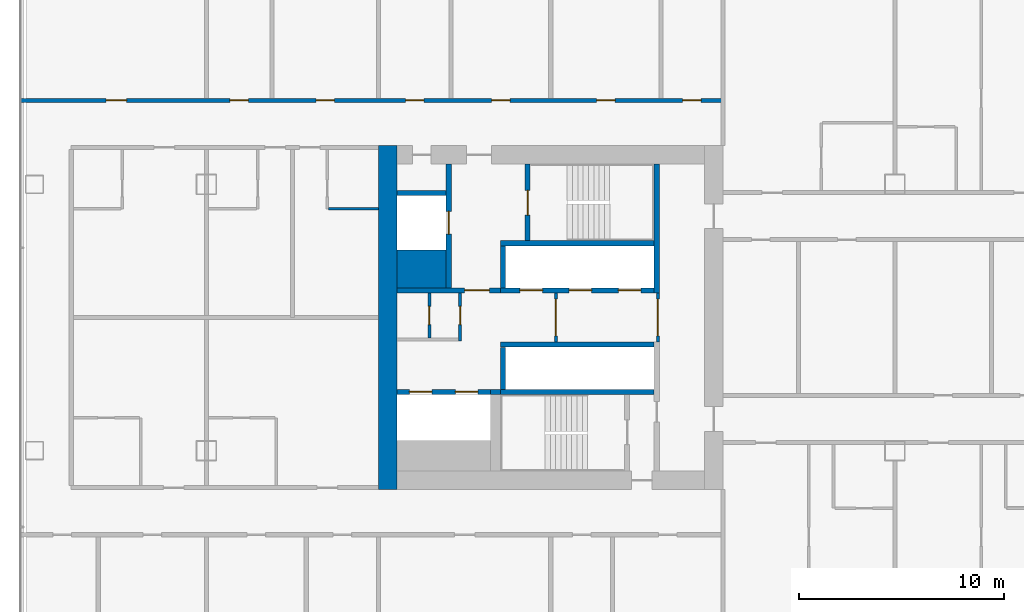
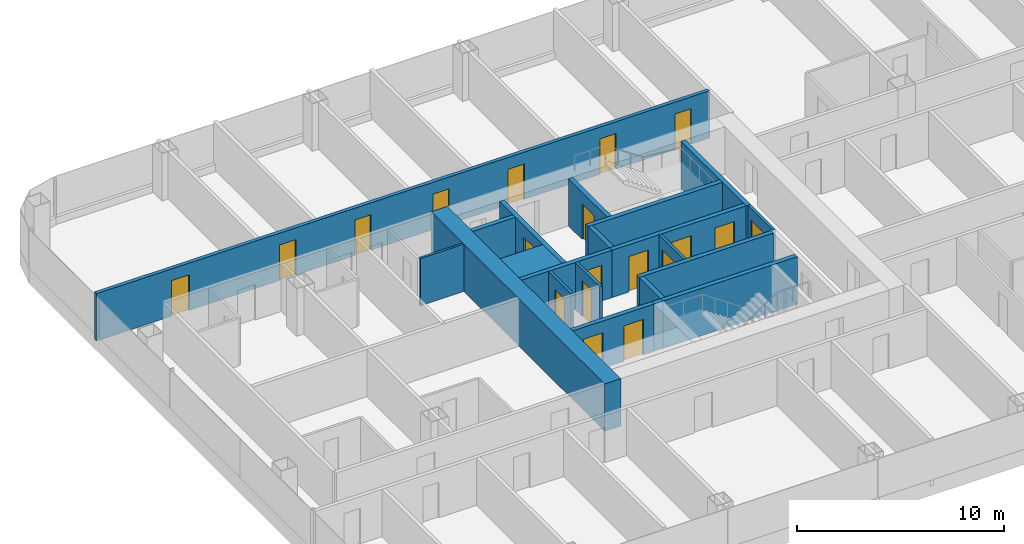
# One storey, part 14 of 28: 21 walls, 19 doors, 19 openings.
"""IFC4 building model written with IfcOpenShell, lengths in metres."""

from ifc_helpers import new_model, si_unit, direction, frame, frame_2d, origin, place, context, subcontext, project, spatial, rectangle, extrude, material, layer, layer_set, type_object, element, fill, save


model = new_model("IFC4")

# Units and contexts
model_context = context("Model", 3, precision=1e-05, world=origin(), true_north=direction((0.0, 1.0)))
body_context = subcontext(model_context, "Body", "Model", "MODEL_VIEW")
ifc_project = project(units=[si_unit("LENGTHUNIT", "METRE"), si_unit("AREAUNIT", "SQUARE_METRE"), si_unit("VOLUMEUNIT", "CUBIC_METRE"), si_unit("PLANEANGLEUNIT", "RADIAN"), si_unit("MASSUNIT", "GRAM", prefix="KILO")], contexts=[model_context])

# Site, building, storey
site_placement = place(None, origin())
site = spatial("IfcSite", under=ifc_project, at=site_placement, CompositionType="ELEMENT")
building_placement = place(site_placement, origin())
building = spatial("IfcBuilding", under=site, at=building_placement, Name="Hakoniwa Tower and Hamabe Station Hall", CompositionType="ELEMENT")
storey_placement = place(building_placement, frame((0.0, 0.0, 32.60009765625)))
storey = spatial("IfcBuildingStorey", under=building, at=storey_placement, Name="L08", CompositionType="ELEMENT", Elevation=32.60009765625)

# Wall
ifc_material_1 = material(Name="Gypsum board partition", Category="gypsum")
ifc_layer_1 = layer(ifc_material_1, 0.125)
ifc_layer_set_1 = layer_set([ifc_layer_1], Name="Bathroom Partition 125")
wall_type_1 = type_object("IfcWallType", Name="Bathroom Partition 125", PredefinedType="PARTITIONING", material=ifc_layer_set_1)
wall_1_placement = place(storey_placement, frame((-36.03759765625, 5.300048828125, 0.0), z_axis=(0.0, 0.0, 1.0), x_axis=(1.0, 0.0, 0.0)))
element("IfcWall", 1, at=wall_1_placement, inside=storey, type_object=wall_type_1, Name="GW-L08-021", PredefinedType="PARTITIONING", context=body_context, shape_type="SweptSolid", body=[
    extrude(rectangle(XDim=2.4375, YDim=0.125, at=frame_2d((1.21875, 0.0))), origin(), (0.0, 0.0, 1.0), 2.7998046875),
])

# Wall, opening, door
ifc_material_2 = material(Name="Gypsum board partition")
ifc_layer_2 = layer(ifc_material_2, 0.14990234375)
ifc_layer_set_2 = layer_set([ifc_layer_2], Name="CORE PARTITION 150 EI 60")
wall_type_2 = type_object("IfcWallType", Name="CORE PARTITION 150 EI 60", PredefinedType="PARTITIONING", material=ifc_layer_set_2)
wall_2_placement = place(storey_placement, frame((-19.97509765625, -1.199951171875, 0.0), z_axis=(0.0, 0.0, 1.0), x_axis=(0.0, 1.0, 0.0)))
wall_2 = element("IfcWall", 2, at=wall_2_placement, inside=storey, type_object=wall_type_2, Name="Core partition PL0 west", PredefinedType="PARTITIONING", context=body_context, shape_type="SweptSolid", body=[
    extrude(rectangle(XDim=2.39990234375, YDim=0.14990234375, at=frame_2d((1.199951171875, 0.0))), origin(), (0.0, 0.0, 1.0), 2.7998046875),
])
opening_1_placement = place(wall_2_placement, frame((0.300048828125, 0.0, 0.0)))
opening_1 = element("IfcOpeningElement", 3, at=opening_1_placement, cuts=wall_2, Name="Opening CD-W-LP0-18", PredefinedType="OPENING", context=body_context, shape_type="SweptSolid", body=[
    extrude(rectangle(XDim=1.800048828125, YDim=2.10009765625, at=frame_2d((0.89990234375, 1.050048828125))), frame((0.0, 0.0849609375, 0.0), z_axis=(0.0, -1.0, 0.0), x_axis=(1.0, 0.0, 0.0)), (0.0, 0.0, 1.0), 0.169921875),
])
ifc_material_3 = material(Name="Steel fire door", Category="steel")
door_type_1 = type_object("IfcDoorType", Name="CORE DOOR 1800 FD60", OperationType="DOUBLE_DOOR_SINGLE_SWING", PredefinedType="DOOR", material=ifc_material_3)
door_1_placement = place(opening_1_placement, origin())
door_1 = element("IfcDoor", 4, at=door_1_placement, inside=storey, type_object=door_type_1, Name="Lift lobby partition door", OperationType="DOUBLE_DOOR_SINGLE_SWING", OverallHeight=2.10009765625, OverallWidth=1.800048828125, PredefinedType="DOOR", context=body_context, shape_type="SweptSolid", body=[
    extrude(rectangle(XDim=1.800048828125, YDim=2.10009765625, at=frame_2d((0.89990234375, 1.050048828125))), frame((0.0, 0.02490234375, 0.0), z_axis=(0.0, -1.0, 0.0), x_axis=(1.0, 0.0, 0.0)), (0.0, 0.0, 1.0), 0.050048828125),
])
fill(opening_1, door_1)

wall_3_placement = place(storey_placement, frame((-24.949951171875, -1.199951171875, 0.0), z_axis=(0.0, 0.0, 1.0), x_axis=(0.0, 1.0, 0.0)))
wall_3 = element("IfcWall", 5, at=wall_3_placement, inside=storey, type_object=wall_type_2, Name="Core partition PL1 west", PredefinedType="PARTITIONING", context=body_context, shape_type="SweptSolid", body=[
    extrude(rectangle(XDim=2.39990234375, YDim=0.14990234375, at=frame_2d((1.199951171875, 0.0))), origin(), (0.0, 0.0, 1.0), 2.7998046875),
])
opening_2_placement = place(wall_3_placement, frame((0.300048828125, 0.0, 0.0)))
opening_2 = element("IfcOpeningElement", 6, at=opening_2_placement, cuts=wall_3, Name="Opening CD-W-LP1-18", PredefinedType="OPENING", context=body_context, shape_type="SweptSolid", body=[
    extrude(rectangle(XDim=1.800048828125, YDim=2.10009765625, at=frame_2d((0.89990234375, 1.050048828125))), frame((0.0, 0.0849609375, 0.0), z_axis=(0.0, -1.0, 0.0), x_axis=(1.0, 0.0, 0.0)), (0.0, 0.0, 1.0), 0.169921875),
])
door_2_placement = place(opening_2_placement, origin())
door_2 = element("IfcDoor", 7, at=door_2_placement, inside=storey, type_object=door_type_1, Name="Lift lobby partition door", OperationType="DOUBLE_DOOR_SINGLE_SWING", OverallHeight=2.10009765625, OverallWidth=1.800048828125, PredefinedType="DOOR", context=body_context, shape_type="SweptSolid", body=[
    extrude(rectangle(XDim=1.800048828125, YDim=2.10009765625, at=frame_2d((0.89990234375, 1.050048828125))), frame((0.0, 0.02490234375, 0.0), z_axis=(0.0, -1.0, 0.0), x_axis=(1.0, 0.0, 0.0)), (0.0, 0.0, 1.0), 0.050048828125),
])
fill(opening_2, door_2)

wall_4_placement = place(storey_placement, frame((-29.625, -1.14990234375, 0.0), z_axis=(0.0, 0.0, 1.0), x_axis=(0.0, 1.0, 0.0)))
wall_4 = element("IfcWall", 8, at=wall_4_placement, inside=storey, type_object=wall_type_2, Name="Core partition PW0 west", PredefinedType="PARTITIONING", context=body_context, shape_type="SweptSolid", body=[
    extrude(rectangle(XDim=2.349853515625, YDim=0.14990234375, at=frame_2d((1.1748046875, 0.0))), origin(), (0.0, 0.0, 1.0), 2.7998046875),
])
opening_3_placement = place(wall_4_placement, frame((0.800048828125, 0.0, 0.0)))
opening_3 = element("IfcOpeningElement", 9, at=opening_3_placement, cuts=wall_4, Name="Opening CD-W-RM1-9", PredefinedType="OPENING", context=body_context, shape_type="SweptSolid", body=[
    extrude(rectangle(XDim=0.89990234375, YDim=2.10009765625, at=frame_2d((0.449951171875, 1.050048828125))), frame((0.0, 0.0849609375, 0.0), z_axis=(0.0, -1.0, 0.0), x_axis=(1.0, 0.0, 0.0)), (0.0, 0.0, 1.0), 0.169921875),
])
ifc_material_4 = material(Name="Steel fire door", Category="steel")
door_type_2 = type_object("IfcDoorType", Name="CORE DOOR 900 FD30", OperationType="NOTDEFINED", PredefinedType="DOOR", material=ifc_material_4)
door_3_placement = place(opening_3_placement, origin())
door_3 = element("IfcDoor", 10, at=door_3_placement, inside=storey, type_object=door_type_2, Name="Store room door", OperationType="SINGLE_SWING_LEFT", OverallHeight=2.10009765625, OverallWidth=0.89990234375, PredefinedType="DOOR", context=body_context, shape_type="SweptSolid", body=[
    extrude(rectangle(XDim=0.89990234375, YDim=2.10009765625, at=frame_2d((0.449951171875, 1.050048828125))), frame((0.0, 0.02490234375, 0.0), z_axis=(0.0, -1.0, 0.0), x_axis=(1.0, 0.0, 0.0)), (0.0, 0.0, 1.0), 0.050048828125),
])
fill(opening_3, door_3)

wall_5_placement = place(storey_placement, frame((-31.125, -1.0, 0.0), z_axis=(0.0, 0.0, 1.0), x_axis=(0.0, 1.0, 0.0)))
wall_5 = element("IfcWall", 11, at=wall_5_placement, inside=storey, type_object=wall_type_2, Name="Core partition PW1 west", PredefinedType="PARTITIONING", context=body_context, shape_type="SweptSolid", body=[
    extrude(rectangle(XDim=2.199951171875, YDim=0.14990234375, at=frame_2d((1.10009765625, 0.0))), origin(), (0.0, 0.0, 1.0), 2.7998046875),
])
opening_4_placement = place(wall_5_placement, frame((0.64990234375, 0.0, 0.0)))
opening_4 = element("IfcOpeningElement", 12, at=opening_4_placement, cuts=wall_5, Name="Opening CD-W-RM2-9", PredefinedType="OPENING", context=body_context, shape_type="SweptSolid", body=[
    extrude(rectangle(XDim=0.89990234375, YDim=2.10009765625, at=frame_2d((0.449951171875, 1.050048828125))), frame((0.0, 0.0849609375, 0.0), z_axis=(0.0, -1.0, 0.0), x_axis=(1.0, 0.0, 0.0)), (0.0, 0.0, 1.0), 0.169921875),
])
door_4_placement = place(opening_4_placement, origin())
door_4 = element("IfcDoor", 13, at=door_4_placement, inside=storey, type_object=door_type_2, Name="Store room door", OperationType="SINGLE_SWING_LEFT", OverallHeight=2.10009765625, OverallWidth=0.89990234375, PredefinedType="DOOR", context=body_context, shape_type="SweptSolid", body=[
    extrude(rectangle(XDim=0.89990234375, YDim=2.10009765625, at=frame_2d((0.449951171875, 1.050048828125))), frame((0.0, 0.02490234375, 0.0), z_axis=(0.0, -1.0, 0.0), x_axis=(1.0, 0.0, 0.0)), (0.0, 0.0, 1.0), 0.050048828125),
])
fill(opening_4, door_4)

# Walls
ifc_material_5 = material(Name="Concrete C80", Category="concrete")
ifc_layer_3 = layer(ifc_material_5, 0.89990234375)
ifc_layer_set_3 = layer_set([ifc_layer_3], Name="CORE WALL 900 C80")
wall_type_3 = type_object("IfcWallType", Name="CORE WALL 900 C80", PredefinedType="SHEAR", material=ifc_layer_set_3)
wall_6_placement = place(storey_placement, frame((-33.14990234375, -8.39990234375, 0.0), z_axis=(0.0, 0.0, 1.0), x_axis=(0.0, 1.0, 0.0)))
element("IfcWall", 14, at=wall_6_placement, inside=storey, type_object=wall_type_3, Name="Core wall OUTER west", PredefinedType="SHEAR", context=body_context, shape_type="SweptSolid", body=[
    extrude(rectangle(XDim=16.7998046875, YDim=0.89990234375, at=frame_2d((8.39990234375, 0.0))), origin(), (0.0, 0.0, 1.0), 2.7998046875),
])
ifc_material_6 = material(Name="Concrete C80", Category="concrete")
ifc_layer_4 = layer(ifc_material_6, 1.85009765625)
ifc_layer_set_4 = layer_set([ifc_layer_4], Name="CORE WEB WALL 1850 C80")
wall_type_4 = type_object("IfcWallType", Name="CORE WEB WALL 1850 C80", PredefinedType="SHEAR", material=ifc_layer_set_4)
wall_7_placement = place(storey_placement, frame((-32.699951171875, 2.375, 0.0), z_axis=(0.0, 0.0, 1.0), x_axis=(1.0, 0.0, 0.0)))
element("IfcWall", 15, at=wall_7_placement, inside=storey, type_object=wall_type_4, Name="Core wall CA west", PredefinedType="SHEAR", context=body_context, shape_type="SweptSolid", body=[
    extrude(rectangle(XDim=2.39990234375, YDim=1.85009765625, at=frame_2d((1.199951171875, 0.0))), origin(), (0.0, 0.0, 1.0), 2.7998046875),
])
ifc_material_7 = material(Name="Concrete C80", Category="concrete")
ifc_layer_5 = layer(ifc_material_7, 0.25)
ifc_layer_set_5 = layer_set([ifc_layer_5], Name="CORE WEB WALL 250 C80")
wall_type_5 = type_object("IfcWallType", Name="CORE WEB WALL 250 C80", PredefinedType="SHEAR", material=ifc_layer_set_5)
wall_8_placement = place(storey_placement, frame((-20.02490234375, 1.199951171875, 0.0), z_axis=(0.0, 0.0, 1.0), x_axis=(0.0, 1.0, 0.0)))
element("IfcWall", 16, at=wall_8_placement, inside=storey, type_object=wall_type_5, Name="Core wall W1N west", PredefinedType="SHEAR", context=body_context, shape_type="SweptSolid", body=[
    extrude(rectangle(XDim=6.300048828125, YDim=0.25, at=frame_2d((3.14990234375, 0.0))), origin(), (0.0, 0.0, 1.0), 2.7998046875),
])

# Wall, openings, doors
wall_9_placement = place(storey_placement, frame((-27.64990234375, 1.324951171875, 0.0), z_axis=(0.0, 0.0, 1.0), x_axis=(1.0, 0.0, 0.0)))
wall_9 = element("IfcWall", 17, at=wall_9_placement, inside=storey, type_object=wall_type_5, Name="Core wall NF west", PredefinedType="SHEAR", context=body_context, shape_type="SweptSolid", body=[
    extrude(rectangle(XDim=7.5, YDim=0.25, at=frame_2d((3.75, 0.0))), origin(), (0.0, 0.0, 1.0), 2.7998046875),
])
opening_5_placement = place(wall_9_placement, frame((5.75, 0.0, 0.0)))
opening_5 = element("IfcOpeningElement", 18, at=opening_5_placement, cuts=wall_9, Name="Opening LD-LR1", PredefinedType="OPENING", context=body_context, shape_type="SweptSolid", body=[
    extrude(rectangle(XDim=1.10009765625, YDim=2.10009765625, at=frame_2d((0.550048828125, 1.050048828125))), frame((0.0, 0.135009765625, 0.0), z_axis=(0.0, -1.0, 0.0), x_axis=(1.0, 0.0, 0.0)), (0.0, 0.0, 1.0), 0.27001953125),
])
opening_6_placement = place(wall_9_placement, frame((3.35009765625, 0.0, 0.0)))
opening_6 = element("IfcOpeningElement", 19, at=opening_6_placement, cuts=wall_9, Name="Opening LD-LR2", PredefinedType="OPENING", context=body_context, shape_type="SweptSolid", body=[
    extrude(rectangle(XDim=1.10009765625, YDim=2.10009765625, at=frame_2d((0.550048828125, 1.050048828125))), frame((0.0, 0.135009765625, 0.0), z_axis=(0.0, -1.0, 0.0), x_axis=(1.0, 0.0, 0.0)), (0.0, 0.0, 1.0), 0.27001953125),
])
opening_7_placement = place(wall_9_placement, frame((0.949951171875, 0.0, 0.0)))
opening_7 = element("IfcOpeningElement", 20, at=opening_7_placement, cuts=wall_9, Name="Opening LD-LR3", PredefinedType="OPENING", context=body_context, shape_type="SweptSolid", body=[
    extrude(rectangle(XDim=1.10009765625, YDim=2.10009765625, at=frame_2d((0.550048828125, 1.050048828125))), frame((0.0, 0.135009765625, 0.0), z_axis=(0.0, -1.0, 0.0), x_axis=(1.0, 0.0, 0.0)), (0.0, 0.0, 1.0), 0.27001953125),
])
ifc_material_8 = material(Name="Stainless steel SUS304", Category="steel")
door_type_3 = type_object("IfcDoorType", Name="LIFT LANDING DOOR 1100 FD60", OperationType="DOUBLE_DOOR_SLIDING", PredefinedType="DOOR", material=ifc_material_8)
door_5_placement = place(opening_5_placement, origin())
door_5 = element("IfcDoor", 21, at=door_5_placement, inside=storey, type_object=door_type_3, Name="Lift landing door LR1 L08", OperationType="DOUBLE_DOOR_SLIDING", OverallHeight=2.10009765625, OverallWidth=1.10009765625, PredefinedType="DOOR", context=body_context, shape_type="SweptSolid", body=[
    extrude(rectangle(XDim=1.10009765625, YDim=2.10009765625, at=frame_2d((0.550048828125, 1.050048828125))), frame((0.0, 0.02490234375, 0.0), z_axis=(0.0, -1.0, 0.0), x_axis=(1.0, 0.0, 0.0)), (0.0, 0.0, 1.0), 0.050048828125),
])
fill(opening_5, door_5)
door_6_placement = place(opening_6_placement, origin())
door_6 = element("IfcDoor", 22, at=door_6_placement, inside=storey, type_object=door_type_3, Name="Lift landing door LR2 L08", OperationType="DOUBLE_DOOR_SLIDING", OverallHeight=2.10009765625, OverallWidth=1.10009765625, PredefinedType="DOOR", context=body_context, shape_type="SweptSolid", body=[
    extrude(rectangle(XDim=1.10009765625, YDim=2.10009765625, at=frame_2d((0.550048828125, 1.050048828125))), frame((0.0, 0.02490234375, 0.0), z_axis=(0.0, -1.0, 0.0), x_axis=(1.0, 0.0, 0.0)), (0.0, 0.0, 1.0), 0.050048828125),
])
fill(opening_6, door_6)
door_7_placement = place(opening_7_placement, origin())
door_7 = element("IfcDoor", 23, at=door_7_placement, inside=storey, type_object=door_type_3, Name="Lift landing door LR3 L08", OperationType="DOUBLE_DOOR_SLIDING", OverallHeight=2.10009765625, OverallWidth=1.10009765625, PredefinedType="DOOR", context=body_context, shape_type="SweptSolid", body=[
    extrude(rectangle(XDim=1.10009765625, YDim=2.10009765625, at=frame_2d((0.550048828125, 1.050048828125))), frame((0.0, 0.02490234375, 0.0), z_axis=(0.0, -1.0, 0.0), x_axis=(1.0, 0.0, 0.0)), (0.0, 0.0, 1.0), 0.050048828125),
])
fill(opening_7, door_7)

# Walls
wall_10_placement = place(storey_placement, frame((-27.52490234375, 1.449951171875, 0.0), z_axis=(0.0, 0.0, 1.0), x_axis=(0.0, 1.0, 0.0)))
element("IfcWall", 24, at=wall_10_placement, inside=storey, type_object=wall_type_5, Name="Core wall NE west", PredefinedType="SHEAR", context=body_context, shape_type="SweptSolid", body=[
    extrude(rectangle(XDim=2.050048828125, YDim=0.25, at=frame_2d((1.02490234375, 0.0))), origin(), (0.0, 0.0, 1.0), 2.7998046875),
])
wall_11_placement = place(storey_placement, frame((-27.64990234375, 3.625, 0.0), z_axis=(0.0, 0.0, 1.0), x_axis=(1.0, 0.0, 0.0)))
element("IfcWall", 25, at=wall_11_placement, inside=storey, type_object=wall_type_5, Name="Core wall NR west", PredefinedType="SHEAR", context=body_context, shape_type="SweptSolid", body=[
    extrude(rectangle(XDim=7.5, YDim=0.25, at=frame_2d((3.75, 0.0))), origin(), (0.0, 0.0, 1.0), 2.7998046875),
])

# Wall, opening, door
wall_12_placement = place(storey_placement, frame((-26.324951171875, 3.75, 0.0), z_axis=(0.0, 0.0, 1.0), x_axis=(0.0, 1.0, 0.0)))
wall_12 = element("IfcWall", 26, at=wall_12_placement, inside=storey, type_object=wall_type_5, Name="Core wall NSE west", PredefinedType="SHEAR", context=body_context, shape_type="SweptSolid", body=[
    extrude(rectangle(XDim=3.75, YDim=0.25, at=frame_2d((1.875, 0.0))), origin(), (0.0, 0.0, 1.0), 2.7998046875),
])
opening_8_placement = place(wall_12_placement, frame((1.25, 0.0, 0.0)))
opening_8 = element("IfcOpeningElement", 27, at=opening_8_placement, cuts=wall_12, Name="Opening CD-W-SN-12", PredefinedType="OPENING", context=body_context, shape_type="SweptSolid", body=[
    extrude(rectangle(XDim=1.199951171875, YDim=2.10009765625, at=frame_2d((0.60009765625, 1.050048828125))), frame((0.0, 0.135009765625, 0.0), z_axis=(0.0, -1.0, 0.0), x_axis=(1.0, 0.0, 0.0)), (0.0, 0.0, 1.0), 0.27001953125),
])
ifc_material_9 = material(Name="Steel fire door", Category="steel")
door_type_4 = type_object("IfcDoorType", Name="CORE DOOR 1200 FD60", OperationType="DOUBLE_DOOR_SINGLE_SWING", PredefinedType="DOOR", material=ifc_material_9)
door_8_placement = place(opening_8_placement, origin())
door_8 = element("IfcDoor", 28, at=door_8_placement, inside=storey, type_object=door_type_4, Name="Escape stair door", OperationType="DOUBLE_DOOR_SINGLE_SWING", OverallHeight=2.10009765625, OverallWidth=1.199951171875, PredefinedType="DOOR", context=body_context, shape_type="SweptSolid", body=[
    extrude(rectangle(XDim=1.199951171875, YDim=2.10009765625, at=frame_2d((0.60009765625, 1.050048828125))), frame((0.0, 0.02490234375, 0.0), z_axis=(0.0, -1.0, 0.0), x_axis=(1.0, 0.0, 0.0)), (0.0, 0.0, 1.0), 0.050048828125),
])
fill(opening_8, door_8)

wall_13_placement = place(storey_placement, frame((-32.699951171875, 1.324951171875, 0.0), z_axis=(0.0, 0.0, 1.0), x_axis=(1.0, 0.0, 0.0)))
wall_13 = element("IfcWall", 29, at=wall_13_placement, inside=storey, type_object=wall_type_5, Name="Core wall ELN west", PredefinedType="SHEAR", context=body_context, shape_type="SweptSolid", body=[
    extrude(rectangle(XDim=5.050048828125, YDim=0.25, at=frame_2d((2.52490234375, 0.0))), origin(), (0.0, 0.0, 1.0), 2.7998046875),
])
opening_9_placement = place(wall_13_placement, frame((3.300048828125, 0.0, 0.0)))
opening_9 = element("IfcOpeningElement", 30, at=opening_9_placement, cuts=wall_13, Name="Opening CD-W-FL-12", PredefinedType="OPENING", context=body_context, shape_type="SweptSolid", body=[
    extrude(rectangle(XDim=1.199951171875, YDim=2.10009765625, at=frame_2d((0.60009765625, 1.050048828125))), frame((0.0, 0.135009765625, 0.0), z_axis=(0.0, -1.0, 0.0), x_axis=(1.0, 0.0, 0.0)), (0.0, 0.0, 1.0), 0.27001953125),
])
door_9_placement = place(opening_9_placement, origin())
door_9 = element("IfcDoor", 31, at=door_9_placement, inside=storey, type_object=door_type_4, Name="Stair vestibule door to the fire-fighting lobby", OperationType="DOUBLE_DOOR_SINGLE_SWING", OverallHeight=2.10009765625, OverallWidth=1.199951171875, PredefinedType="DOOR", context=body_context, shape_type="SweptSolid", body=[
    extrude(rectangle(XDim=1.199951171875, YDim=2.10009765625, at=frame_2d((0.60009765625, 1.050048828125))), frame((0.0, 0.02490234375, 0.0), z_axis=(0.0, -1.0, 0.0), x_axis=(1.0, 0.0, 0.0)), (0.0, 0.0, 1.0), 0.050048828125),
])
fill(opening_9, door_9)

wall_14_placement = place(storey_placement, frame((-30.175048828125, 1.449951171875, 0.0), z_axis=(0.0, 0.0, 1.0), x_axis=(0.0, 1.0, 0.0)))
wall_14 = element("IfcWall", 32, at=wall_14_placement, inside=storey, type_object=wall_type_5, Name="Core wall FFF west", PredefinedType="SHEAR", context=body_context, shape_type="SweptSolid", body=[
    extrude(rectangle(XDim=6.050048828125, YDim=0.25, at=frame_2d((3.02490234375, 0.0))), origin(), (0.0, 0.0, 1.0), 2.7998046875),
])
opening_10_placement = place(wall_14_placement, frame((2.625, 0.0, 0.0)))
opening_10 = element("IfcOpeningElement", 33, at=opening_10_placement, cuts=wall_14, Name="Opening LD-FF1", PredefinedType="OPENING", context=body_context, shape_type="SweptSolid", body=[
    extrude(rectangle(XDim=1.10009765625, YDim=2.10009765625, at=frame_2d((0.550048828125, 1.050048828125))), frame((0.0, 0.135009765625, 0.0), z_axis=(0.0, -1.0, 0.0), x_axis=(1.0, 0.0, 0.0)), (0.0, 0.0, 1.0), 0.27001953125),
])
door_10_placement = place(opening_10_placement, origin())
door_10 = element("IfcDoor", 34, at=door_10_placement, inside=storey, type_object=door_type_3, Name="Lift landing door FF1 L08", OperationType="DOUBLE_DOOR_SLIDING", OverallHeight=2.10009765625, OverallWidth=1.10009765625, PredefinedType="DOOR", context=body_context, shape_type="SweptSolid", body=[
    extrude(rectangle(XDim=1.10009765625, YDim=2.10009765625, at=frame_2d((0.550048828125, 1.050048828125))), frame((0.0, 0.02490234375, 0.0), z_axis=(0.0, -1.0, 0.0), x_axis=(1.0, 0.0, 0.0)), (0.0, 0.0, 1.0), 0.050048828125),
])
fill(opening_10, door_10)

# Walls
wall_15_placement = place(storey_placement, frame((-32.699951171875, 6.074951171875, 0.0), z_axis=(0.0, 0.0, 1.0), x_axis=(1.0, 0.0, 0.0)))
element("IfcWall", 35, at=wall_15_placement, inside=storey, type_object=wall_type_5, Name="Core wall C2 west", PredefinedType="SHEAR", context=body_context, shape_type="SweptSolid", body=[
    extrude(rectangle(XDim=2.39990234375, YDim=0.25, at=frame_2d((1.199951171875, 0.0))), origin(), (0.0, 0.0, 1.0), 2.7998046875),
])
wall_16_placement = place(storey_placement, frame((-27.64990234375, -1.324951171875, 0.0), z_axis=(0.0, 0.0, 1.0), x_axis=(1.0, 0.0, 0.0)))
element("IfcWall", 36, at=wall_16_placement, inside=storey, type_object=wall_type_5, Name="Core wall SF west", PredefinedType="SHEAR", context=body_context, shape_type="SweptSolid", body=[
    extrude(rectangle(XDim=7.5, YDim=0.25, at=frame_2d((3.75, 0.0))), origin(), (0.0, 0.0, 1.0), 2.7998046875),
])
wall_17_placement = place(storey_placement, frame((-27.52490234375, -3.5, 0.0), z_axis=(0.0, 0.0, 1.0), x_axis=(0.0, 1.0, 0.0)))
element("IfcWall", 37, at=wall_17_placement, inside=storey, type_object=wall_type_5, Name="Core wall SE west", PredefinedType="SHEAR", context=body_context, shape_type="SweptSolid", body=[
    extrude(rectangle(XDim=2.050048828125, YDim=0.25, at=frame_2d((1.02490234375, 0.0))), origin(), (0.0, 0.0, 1.0), 2.7998046875),
])
wall_18_placement = place(storey_placement, frame((-27.64990234375, -3.625, 0.0), z_axis=(0.0, 0.0, 1.0), x_axis=(1.0, 0.0, 0.0)))
element("IfcWall", 38, at=wall_18_placement, inside=storey, type_object=wall_type_5, Name="Core wall SR west", PredefinedType="SHEAR", context=body_context, shape_type="SweptSolid", body=[
    extrude(rectangle(XDim=7.5, YDim=0.25, at=frame_2d((3.75, 0.0))), origin(), (0.0, 0.0, 1.0), 2.7998046875),
])

# Wall, openings, doors
wall_19_placement = place(storey_placement, frame((-32.699951171875, -3.625, 0.0), z_axis=(0.0, 0.0, 1.0), x_axis=(1.0, 0.0, 0.0)))
wall_19 = element("IfcWall", 39, at=wall_19_placement, inside=storey, type_object=wall_type_5, Name="Core wall SEF west", PredefinedType="SHEAR", context=body_context, shape_type="SweptSolid", body=[
    extrude(rectangle(XDim=4.550048828125, YDim=0.25, at=frame_2d((2.27490234375, 0.0))), origin(), (0.0, 0.0, 1.0), 2.7998046875),
])
opening_11_placement = place(wall_19_placement, frame((2.85009765625, 0.0, 0.0)))
opening_11 = element("IfcOpeningElement", 40, at=opening_11_placement, cuts=wall_19, Name="Opening LD-SV1", PredefinedType="OPENING", context=body_context, shape_type="SweptSolid", body=[
    extrude(rectangle(XDim=1.10009765625, YDim=2.10009765625, at=frame_2d((0.550048828125, 1.050048828125))), frame((0.0, 0.135009765625, 0.0), z_axis=(0.0, -1.0, 0.0), x_axis=(1.0, 0.0, 0.0)), (0.0, 0.0, 1.0), 0.27001953125),
])
opening_12_placement = place(wall_19_placement, frame((0.60009765625, 0.0, 0.0)))
opening_12 = element("IfcOpeningElement", 41, at=opening_12_placement, cuts=wall_19, Name="Opening LD-SV2", PredefinedType="OPENING", context=body_context, shape_type="SweptSolid", body=[
    extrude(rectangle(XDim=1.10009765625, YDim=2.10009765625, at=frame_2d((0.550048828125, 1.050048828125))), frame((0.0, 0.135009765625, 0.0), z_axis=(0.0, -1.0, 0.0), x_axis=(1.0, 0.0, 0.0)), (0.0, 0.0, 1.0), 0.27001953125),
])
door_11_placement = place(opening_11_placement, origin())
door_11 = element("IfcDoor", 42, at=door_11_placement, inside=storey, type_object=door_type_3, Name="Lift landing door SV1 L08", OperationType="DOUBLE_DOOR_SLIDING", OverallHeight=2.10009765625, OverallWidth=1.10009765625, PredefinedType="DOOR", context=body_context, shape_type="SweptSolid", body=[
    extrude(rectangle(XDim=1.10009765625, YDim=2.10009765625, at=frame_2d((0.550048828125, 1.050048828125))), frame((0.0, 0.02490234375, 0.0), z_axis=(0.0, -1.0, 0.0), x_axis=(1.0, 0.0, 0.0)), (0.0, 0.0, 1.0), 0.050048828125),
])
fill(opening_11, door_11)
door_12_placement = place(opening_12_placement, origin())
door_12 = element("IfcDoor", 43, at=door_12_placement, inside=storey, type_object=door_type_3, Name="Lift landing door SV2 L08", OperationType="DOUBLE_DOOR_SLIDING", OverallHeight=2.10009765625, OverallWidth=1.10009765625, PredefinedType="DOOR", context=body_context, shape_type="SweptSolid", body=[
    extrude(rectangle(XDim=1.10009765625, YDim=2.10009765625, at=frame_2d((0.550048828125, 1.050048828125))), frame((0.0, 0.02490234375, 0.0), z_axis=(0.0, -1.0, 0.0), x_axis=(1.0, 0.0, 0.0)), (0.0, 0.0, 1.0), 0.050048828125),
])
fill(opening_12, door_12)

# Wall
wall_20_placement = place(storey_placement, frame((-28.14990234375, -3.625, 0.0), z_axis=(0.0, 0.0, 1.0), x_axis=(1.0, 0.0, 0.0)))
element("IfcWall", 44, at=wall_20_placement, inside=storey, type_object=wall_type_5, Name="Core wall SRK west", PredefinedType="SHEAR", context=body_context, shape_type="SweptSolid", body=[
    extrude(rectangle(XDim=0.5, YDim=0.25, at=frame_2d((0.25, 0.0))), origin(), (0.0, 0.0, 1.0), 2.7998046875),
])

# Wall, openings, doors
ifc_material_10 = material(Name="Fire-rated gypsum board partition", Category="gypsum")
ifc_layer_6 = layer(ifc_material_10, 0.199951171875)
ifc_layer_set_6 = layer_set([ifc_layer_6], Name="Corridor Wall 200")
wall_type_6 = type_object("IfcWallType", Name="Corridor Wall 200", PredefinedType="PARTITIONING", material=ifc_layer_set_6)
wall_21_placement = place(storey_placement, frame((-51.10009765625, 10.60009765625, 0.0), z_axis=(0.0, 0.0, 1.0), x_axis=(1.0, 0.0, 0.0)))
wall_21 = element("IfcWall", 45, at=wall_21_placement, inside=storey, type_object=wall_type_6, Name="GW-L08-030", PredefinedType="PARTITIONING", context=body_context, shape_type="SweptSolid", body=[
    extrude(rectangle(XDim=34.300048828125, YDim=0.199951171875, at=frame_2d((17.14990234375, 0.0))), origin(), (0.0, 0.0, 1.0), 2.7998046875),
])
opening_13_placement = place(wall_21_placement, frame((4.199951171875, 0.0, 0.0)))
opening_13 = element("IfcOpeningElement", 46, at=opening_13_placement, cuts=wall_21, Name="Opening GD-G1E0-49", PredefinedType="OPENING", context=body_context, shape_type="SweptSolid", body=[
    extrude(rectangle(XDim=1.0, YDim=2.10009765625, at=frame_2d((0.5, 1.050048828125))), frame((0.0, 0.10986328125, 0.0), z_axis=(0.0, -1.0, 0.0), x_axis=(1.0, 0.0, 0.0)), (0.0, 0.0, 1.0), 0.219970703125),
])
opening_14_placement = place(wall_21_placement, frame((10.2451171875, 0.0, 0.0)))
opening_14 = element("IfcOpeningElement", 47, at=opening_14_placement, cuts=wall_21, Name="Opening GD-G1E0-50", PredefinedType="OPENING", context=body_context, shape_type="SweptSolid", body=[
    extrude(rectangle(XDim=0.89990234375, YDim=2.10009765625, at=frame_2d((0.449951171875, 1.050048828125))), frame((0.0, 0.10986328125, 0.0), z_axis=(0.0, -1.0, 0.0), x_axis=(1.0, 0.0, 0.0)), (0.0, 0.0, 1.0), 0.219970703125),
])
opening_15_placement = place(wall_21_placement, frame((14.445068359375, 0.0, 0.0)))
opening_15 = element("IfcOpeningElement", 48, at=opening_15_placement, cuts=wall_21, Name="Opening GD-G1E0-51", PredefinedType="OPENING", context=body_context, shape_type="SweptSolid", body=[
    extrude(rectangle(XDim=0.89990234375, YDim=2.10009765625, at=frame_2d((0.449951171875, 1.050048828125))), frame((0.0, 0.10986328125, 0.0), z_axis=(0.0, -1.0, 0.0), x_axis=(1.0, 0.0, 0.0)), (0.0, 0.0, 1.0), 0.219970703125),
])
opening_16_placement = place(wall_21_placement, frame((18.81494140625, 0.0, 0.0)))
opening_16 = element("IfcOpeningElement", 49, at=opening_16_placement, cuts=wall_21, Name="Opening GD-G1E0-52", PredefinedType="OPENING", context=body_context, shape_type="SweptSolid", body=[
    extrude(rectangle(XDim=0.89990234375, YDim=2.10009765625, at=frame_2d((0.449951171875, 1.050048828125))), frame((0.0, 0.10986328125, 0.0), z_axis=(0.0, -1.0, 0.0), x_axis=(1.0, 0.0, 0.0)), (0.0, 0.0, 1.0), 0.219970703125),
])
opening_17_placement = place(wall_21_placement, frame((23.014892578125, 0.0, 0.0)))
opening_17 = element("IfcOpeningElement", 50, at=opening_17_placement, cuts=wall_21, Name="Opening GD-G1E0-53", PredefinedType="OPENING", context=body_context, shape_type="SweptSolid", body=[
    extrude(rectangle(XDim=0.89990234375, YDim=2.10009765625, at=frame_2d((0.449951171875, 1.050048828125))), frame((0.0, 0.10986328125, 0.0), z_axis=(0.0, -1.0, 0.0), x_axis=(1.0, 0.0, 0.0)), (0.0, 0.0, 1.0), 0.219970703125),
])
opening_18_placement = place(wall_21_placement, frame((28.139892578125, 0.0, 0.0)))
opening_18 = element("IfcOpeningElement", 51, at=opening_18_placement, cuts=wall_21, Name="Opening GD-G1E0-54", PredefinedType="OPENING", context=body_context, shape_type="SweptSolid", body=[
    extrude(rectangle(XDim=0.89990234375, YDim=2.10009765625, at=frame_2d((0.449951171875, 1.050048828125))), frame((0.0, 0.10986328125, 0.0), z_axis=(0.0, -1.0, 0.0), x_axis=(1.0, 0.0, 0.0)), (0.0, 0.0, 1.0), 0.219970703125),
])
opening_19_placement = place(wall_21_placement, frame((32.340087890625, 0.0, 0.0)))
opening_19 = element("IfcOpeningElement", 52, at=opening_19_placement, cuts=wall_21, Name="Opening GD-G1E0-55", PredefinedType="OPENING", context=body_context, shape_type="SweptSolid", body=[
    extrude(rectangle(XDim=0.89990234375, YDim=2.10009765625, at=frame_2d((0.449951171875, 1.050048828125))), frame((0.0, 0.10986328125, 0.0), z_axis=(0.0, -1.0, 0.0), x_axis=(1.0, 0.0, 0.0)), (0.0, 0.0, 1.0), 0.219970703125),
])
ifc_material_11 = material(Name="Timber door leaf", Category="wood")
door_type_5 = type_object("IfcDoorType", Name="Guest Entrance Door 1000", OperationType="SINGLE_SWING_LEFT", PredefinedType="DOOR", material=ifc_material_11)
door_13_placement = place(opening_13_placement, origin())
door_13 = element("IfcDoor", 53, at=door_13_placement, inside=storey, type_object=door_type_5, Name="Door GD-G1E0-49", OperationType="SINGLE_SWING_RIGHT", OverallHeight=2.10009765625, OverallWidth=1.0, PredefinedType="DOOR", context=body_context, shape_type="SweptSolid", body=[
    extrude(rectangle(XDim=1.0, YDim=2.10009765625, at=frame_2d((0.5, 1.050048828125))), frame((0.0, 0.02490234375, 0.0), z_axis=(0.0, -1.0, 0.0), x_axis=(1.0, 0.0, 0.0)), (0.0, 0.0, 1.0), 0.050048828125),
])
fill(opening_13, door_13)
ifc_material_12 = material(Name="Timber door leaf", Category="wood")
door_type_6 = type_object("IfcDoorType", Name="Service Door 900", OperationType="SINGLE_SWING_LEFT", PredefinedType="DOOR", material=ifc_material_12)
door_14_placement = place(opening_14_placement, origin())
door_14 = element("IfcDoor", 54, at=door_14_placement, inside=storey, type_object=door_type_6, Name="Door GD-G1E0-50", OperationType="SINGLE_SWING_RIGHT", OverallHeight=2.10009765625, OverallWidth=0.89990234375, PredefinedType="DOOR", context=body_context, shape_type="SweptSolid", body=[
    extrude(rectangle(XDim=0.89990234375, YDim=2.10009765625, at=frame_2d((0.449951171875, 1.050048828125))), frame((0.0, 0.02490234375, 0.0), z_axis=(0.0, -1.0, 0.0), x_axis=(1.0, 0.0, 0.0)), (0.0, 0.0, 1.0), 0.050048828125),
])
fill(opening_14, door_14)
door_15_placement = place(opening_15_placement, origin())
door_15 = element("IfcDoor", 55, at=door_15_placement, inside=storey, type_object=door_type_6, Name="Door GD-G1E0-51", OperationType="SINGLE_SWING_LEFT", OverallHeight=2.10009765625, OverallWidth=0.89990234375, PredefinedType="DOOR", context=body_context, shape_type="SweptSolid", body=[
    extrude(rectangle(XDim=0.89990234375, YDim=2.10009765625, at=frame_2d((0.449951171875, 1.050048828125))), frame((0.0, 0.02490234375, 0.0), z_axis=(0.0, -1.0, 0.0), x_axis=(1.0, 0.0, 0.0)), (0.0, 0.0, 1.0), 0.050048828125),
])
fill(opening_15, door_15)
door_16_placement = place(opening_16_placement, origin())
door_16 = element("IfcDoor", 56, at=door_16_placement, inside=storey, type_object=door_type_6, Name="Door GD-G1E0-52", OperationType="SINGLE_SWING_RIGHT", OverallHeight=2.10009765625, OverallWidth=0.89990234375, PredefinedType="DOOR", context=body_context, shape_type="SweptSolid", body=[
    extrude(rectangle(XDim=0.89990234375, YDim=2.10009765625, at=frame_2d((0.449951171875, 1.050048828125))), frame((0.0, 0.02490234375, 0.0), z_axis=(0.0, -1.0, 0.0), x_axis=(1.0, 0.0, 0.0)), (0.0, 0.0, 1.0), 0.050048828125),
])
fill(opening_16, door_16)
door_17_placement = place(opening_17_placement, origin())
door_17 = element("IfcDoor", 57, at=door_17_placement, inside=storey, type_object=door_type_6, Name="Door GD-G1E0-53", OperationType="SINGLE_SWING_LEFT", OverallHeight=2.10009765625, OverallWidth=0.89990234375, PredefinedType="DOOR", context=body_context, shape_type="SweptSolid", body=[
    extrude(rectangle(XDim=0.89990234375, YDim=2.10009765625, at=frame_2d((0.449951171875, 1.050048828125))), frame((0.0, 0.02490234375, 0.0), z_axis=(0.0, -1.0, 0.0), x_axis=(1.0, 0.0, 0.0)), (0.0, 0.0, 1.0), 0.050048828125),
])
fill(opening_17, door_17)
door_18_placement = place(opening_18_placement, origin())
door_18 = element("IfcDoor", 58, at=door_18_placement, inside=storey, type_object=door_type_6, Name="Door GD-G1E0-54", OperationType="SINGLE_SWING_RIGHT", OverallHeight=2.10009765625, OverallWidth=0.89990234375, PredefinedType="DOOR", context=body_context, shape_type="SweptSolid", body=[
    extrude(rectangle(XDim=0.89990234375, YDim=2.10009765625, at=frame_2d((0.449951171875, 1.050048828125))), frame((0.0, 0.02490234375, 0.0), z_axis=(0.0, -1.0, 0.0), x_axis=(1.0, 0.0, 0.0)), (0.0, 0.0, 1.0), 0.050048828125),
])
fill(opening_18, door_18)
door_19_placement = place(opening_19_placement, origin())
door_19 = element("IfcDoor", 59, at=door_19_placement, inside=storey, type_object=door_type_6, Name="Door GD-G1E0-55", OperationType="SINGLE_SWING_LEFT", OverallHeight=2.10009765625, OverallWidth=0.89990234375, PredefinedType="DOOR", context=body_context, shape_type="SweptSolid", body=[
    extrude(rectangle(XDim=0.89990234375, YDim=2.10009765625, at=frame_2d((0.449951171875, 1.050048828125))), frame((0.0, 0.02490234375, 0.0), z_axis=(0.0, -1.0, 0.0), x_axis=(1.0, 0.0, 0.0)), (0.0, 0.0, 1.0), 0.050048828125),
])
fill(opening_19, door_19)

save(model, "model.ifc")
